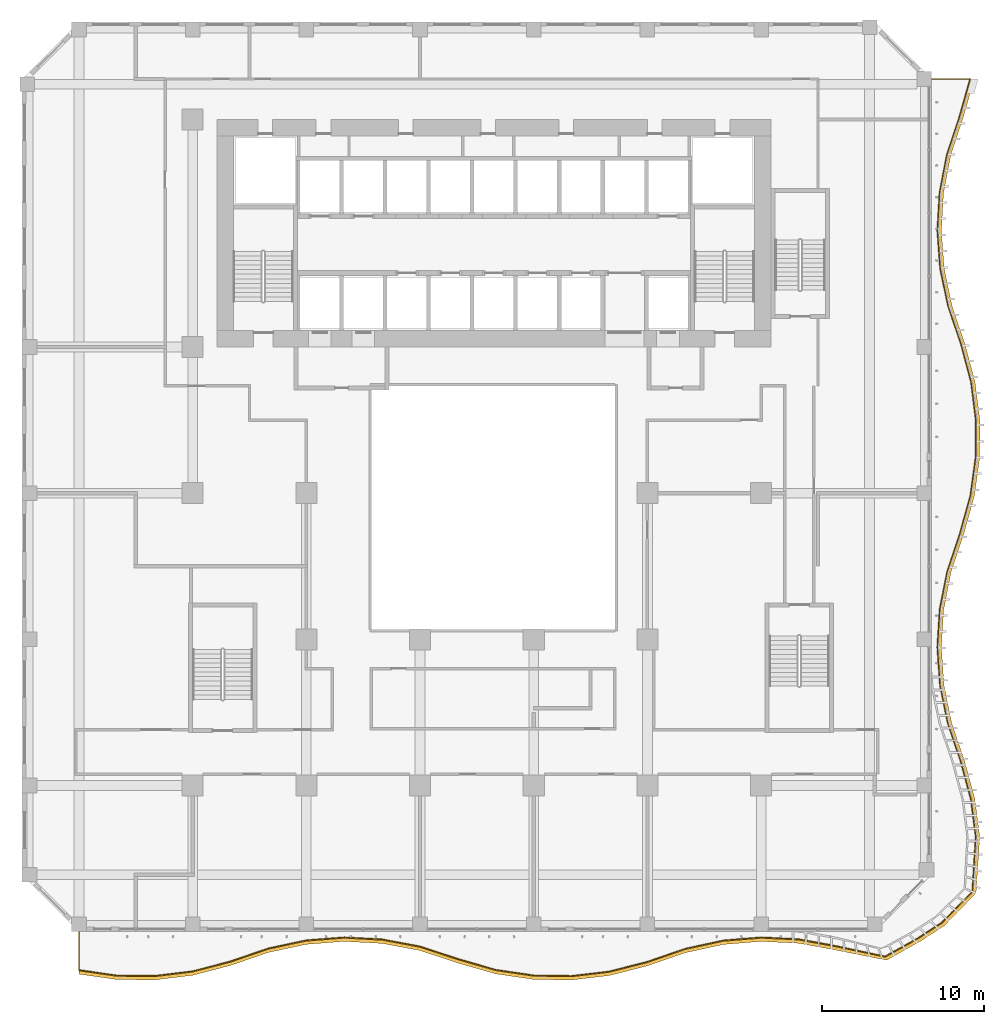
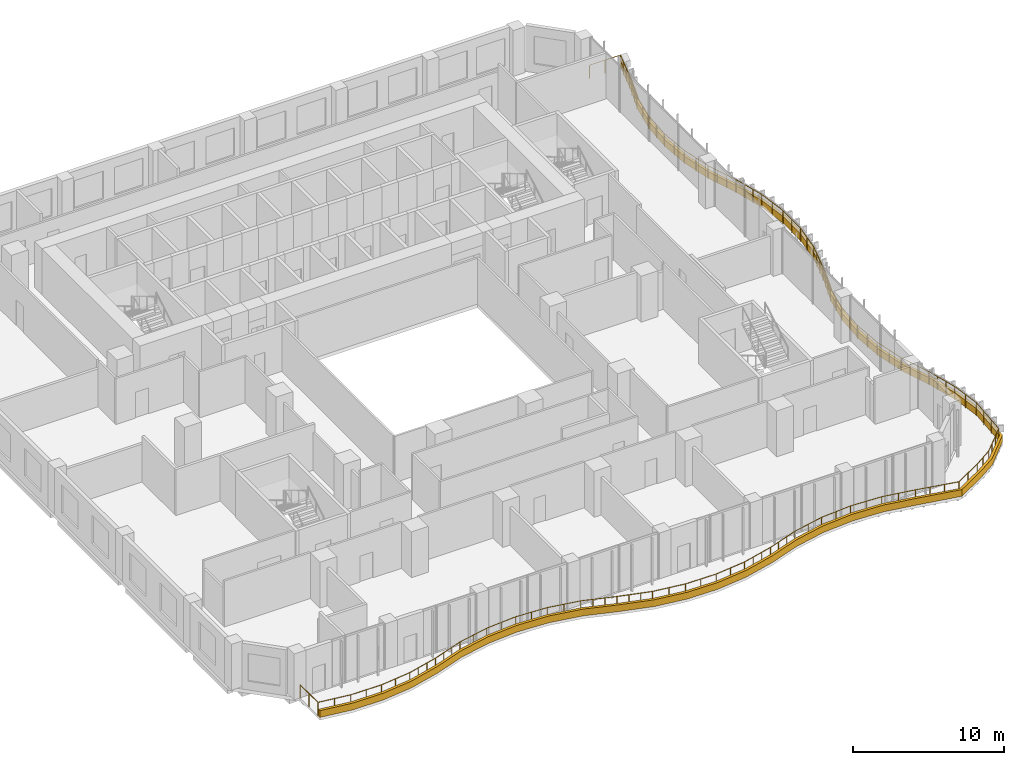
# One storey, part 21 of 27: 1 railing, 1 shading device.
"""IFC4 building model written with IfcOpenShell, lengths in metres."""

from ifc_helpers import new_model, si_unit, direction, frame, origin, origin_2d, place, context, subcontext, project, spatial, polyline, circle, outline, extrude, source, transform, mapped, material, layer, layer_set, type_object, element, save


model = new_model("IFC4")

# Units and contexts
model_context = context("Model", 3, precision=1e-05, world=origin(), true_north=direction((0.0, 1.0)))
body_context = subcontext(model_context, "Body", "Model", "MODEL_VIEW")
ifc_project = project(units=[si_unit("LENGTHUNIT", "METRE"), si_unit("AREAUNIT", "SQUARE_METRE"), si_unit("VOLUMEUNIT", "CUBIC_METRE"), si_unit("PLANEANGLEUNIT", "RADIAN"), si_unit("MASSUNIT", "GRAM", prefix="KILO")], contexts=[model_context])

# Site, building, storey
site_placement = place(None, origin())
site = spatial("IfcSite", under=ifc_project, at=site_placement, CompositionType="ELEMENT")
building_placement = place(site_placement, origin())
building = spatial("IfcBuilding", under=site, at=building_placement, Name="Kilnfold Tower and Market Hall", CompositionType="ELEMENT")
storey_placement = place(building_placement, frame((0.0, 0.0, 51.0)))
storey = spatial("IfcBuildingStorey", under=building, at=storey_placement, Name="L11", CompositionType="ELEMENT", Elevation=51.0)

# Railing
ifc_material_1 = material(Name="Stainless steel and laminated glass", Category="steel")
railing_type = type_object("IfcRailingType", Name="GUARD 1100", PredefinedType="GUARDRAIL", material=ifc_material_1)
railing_placement = place(storey_placement, frame((-24.5, -28.0, 0.0)))
element("IfcRailing", 1, at=railing_placement, inside=storey, type_object=railing_type, Name="Guard balcony L11", PredefinedType="GUARDRAIL", context=body_context, shape_type="SweptSolid", body=[
    extrude(circle(Radius=0.02490234375, at=origin_2d()), frame((0.0, 0.0, 1.0751953125), z_axis=(0.0, -1.0, 0.0), x_axis=(1.0, 0.0, 0.0)), (0.0, 0.0, 1.0), 2.3671875),
    extrude(circle(Radius=0.02490234375, at=origin_2d()), frame((0.0, -2.3671875, 1.0751953125), z_axis=(0.990011552174, -0.140986263734, 0.0), x_axis=(0.140986263734, 0.990011552174, 0.0)), (0.0, 0.0, 1.0), 2.356689453125),
    extrude(circle(Radius=0.02490234375, at=origin_2d()), frame((2.333251953125, -2.699462890625, 1.0751953125), z_axis=(0.99995164291, -0.009834217873, 0.0), x_axis=(0.009834217873, 0.99995164291, 0.0)), (0.0, 0.0, 1.0), 2.33349609375),
    extrude(circle(Radius=0.02490234375, at=origin_2d()), frame((4.666748046875, -2.722412109375, 1.0751953125), z_axis=(0.9926519646, 0.121004451058, 0.0), x_axis=(-0.121004451058, 0.9926519646, 0.0)), (0.0, 0.0, 1.0), 2.3505859375),
    extrude(circle(Radius=0.02490234375, at=origin_2d()), frame((7.0, -2.43798828125, 1.0751953125), z_axis=(0.967694646686, 0.25212510937, 0.0), x_axis=(-0.25212510937, 0.967694646686, 0.0)), (0.0, 0.0, 1.0), 2.4111328125),
    extrude(circle(Radius=0.02490234375, at=origin_2d()), frame((9.333251953125, -1.830078125, 1.0751953125), z_axis=(0.945916447437, 0.324410348891, 0.0), x_axis=(-0.324410348891, 0.945916447437, 0.0)), (0.0, 0.0, 1.0), 2.466796875),
    extrude(circle(Radius=0.02490234375, at=origin_2d()), frame((11.666748046875, -1.02978515625, 1.0751953125), z_axis=(0.978030963567, 0.20845967069, 0.0), x_axis=(-0.20845967069, 0.978030963567, 0.0)), (0.0, 0.0, 1.0), 2.3857421875),
    extrude(circle(Radius=0.02490234375, at=origin_2d()), frame((14.0, -0.532470703125, 1.0751953125), z_axis=(0.996999617386, 0.077406478613, 0.0), x_axis=(-0.077406478613, 0.996999617386, 0.0)), (0.0, 0.0, 1.0), 2.34033203125),
    extrude(circle(Radius=0.02490234375, at=origin_2d()), frame((16.333251953125, -0.351318359375, 1.0751953125), z_axis=(0.998562745725, -0.053595175618, 0.0), x_axis=(0.053595175618, 0.998562745725, 0.0)), (0.0, 0.0, 1.0), 2.3369140625),
    extrude(circle(Radius=0.02490234375, at=origin_2d()), frame((18.666748046875, -0.4765625, 1.0751953125), z_axis=(0.982815094306, -0.184592769099, 0.0), x_axis=(0.184592769099, 0.982815094306, 0.0)), (0.0, 0.0, 1.0), 2.3740234375),
    extrude(circle(Radius=0.02490234375, at=origin_2d()), frame((21.0, -0.914794921875, 1.0751953125), z_axis=(0.949918413858, -0.312498011214, 0.0), x_axis=(0.312498011214, 0.949918413858, 0.0)), (0.0, 0.0, 1.0), 2.456298828125),
    extrude(circle(Radius=0.02490234375, at=origin_2d()), frame((23.333251953125, -1.682373046875, 1.0751953125), z_axis=(0.961174049418, -0.27594283235, 0.0), x_axis=(0.27594283235, 0.961174049418, 0.0)), (0.0, 0.0, 1.0), 2.427734375),
    extrude(circle(Radius=0.02490234375, at=origin_2d()), frame((25.666748046875, -2.352294921875, 1.0751953125), z_axis=(0.989454912828, -0.144841207811, 0.0), x_axis=(0.144841207811, 0.989454912828, 0.0)), (0.0, 0.0, 1.0), 2.358154296875),
    extrude(circle(Radius=0.02490234375, at=origin_2d()), frame((28.0, -2.69384765625, 1.0751953125), z_axis=(0.999903179563, -0.013915153592, 0.0), x_axis=(0.013915153592, 0.999903179563, 0.0)), (0.0, 0.0, 1.0), 2.33349609375),
    extrude(circle(Radius=0.02490234375, at=origin_2d()), frame((30.333251953125, -2.726318359375, 1.0751953125), z_axis=(0.993120072898, 0.117100473128, 0.0), x_axis=(-0.117100473128, 0.993120072898, 0.0)), (0.0, 0.0, 1.0), 2.349609375),
    extrude(circle(Radius=0.02490234375, at=origin_2d()), frame((32.666748046875, -2.451171875, 1.0751953125), z_axis=(0.968725117024, 0.248136348904, 0.0), x_axis=(-0.248136348904, 0.968725117024, 0.0)), (0.0, 0.0, 1.0), 2.40869140625),
    extrude(circle(Radius=0.02490234375, at=origin_2d()), frame((35.0, -1.853515625, 1.0751953125), z_axis=(0.945480166669, 0.325679680723, 0.0), x_axis=(-0.325679680723, 0.945480166669, 0.0)), (0.0, 0.0, 1.0), 2.4677734375),
    extrude(circle(Radius=0.02490234375, at=origin_2d()), frame((37.333251953125, -1.0498046875, 1.0751953125), z_axis=(0.977193892437, 0.212348997132, 0.0), x_axis=(-0.212348997132, 0.977193892437, 0.0)), (0.0, 0.0, 1.0), 2.387939453125),
    extrude(circle(Radius=0.02490234375, at=origin_2d()), frame((39.666748046875, -0.542724609375, 1.0751953125), z_axis=(0.996685996413, 0.081345095449, 0.0), x_axis=(-0.081345095449, 0.996685996413, 0.0)), (0.0, 0.0, 1.0), 2.341064453125),
    extrude(circle(Radius=0.02490234375, at=origin_2d()), frame((42.0, -0.352294921875, 1.0751953125), z_axis=(0.998767149705, -0.049640514399, 0.0), x_axis=(0.049640514399, 0.998767149705, 0.0)), (0.0, 0.0, 1.0), 2.336181640625),
    extrude(circle(Radius=0.02490234375, at=origin_2d()), frame((44.333251953125, -0.46826171875, 1.0751953125), z_axis=(0.983557239518, -0.180596668273, 0.0), x_axis=(0.180596668273, 0.983557239518, 0.0)), (0.0, 0.0, 1.0), 2.37255859375),
    extrude(circle(Radius=0.02490234375, at=origin_2d()), frame((46.666748046875, -0.896728515625, 1.0751953125), z_axis=(0.977937632993, -0.208897070291, 0.0), x_axis=(0.208897070291, 0.977937632993, 0.0)), (0.0, 0.0, 1.0), 3.033935546875),
    extrude(circle(Radius=0.02490234375, at=origin_2d()), frame((49.6337890625, -1.530517578125, 1.0751953125), z_axis=(0.872179449428, 0.489186066845, 0.0), x_axis=(-0.489186066845, 0.872179449428, 0.0)), (0.0, 0.0, 1.0), 2.37255859375),
    extrude(circle(Radius=0.02490234375, at=origin_2d()), frame((51.703125, -0.369873046875, 1.0751953125), z_axis=(0.837774747833, 0.546015999668, 0.0), x_axis=(-0.546015999668, 0.837774747833, 0.0)), (0.0, 0.0, 1.0), 1.68603515625),
    extrude(circle(Radius=0.02490234375, at=origin_2d()), frame((53.11572265625, 0.55078125, 1.0751953125), z_axis=(0.702457611721, 0.711725581763, 0.0), x_axis=(-0.711725581763, 0.702457611721, 0.0)), (0.0, 0.0, 1.0), 2.68701171875),
    extrude(circle(Radius=0.02490234375, at=origin_2d()), frame((55.003173828125, 2.463134765625, 1.0751953125), z_axis=(0.062468310849, 0.998046947864, 0.0), x_axis=(-0.998046947864, 0.062468310849, 0.0)), (0.0, 0.0, 1.0), 3.376708984375),
    extrude(circle(Radius=0.02490234375, at=origin_2d()), frame((55.214111328125, 5.833251953125, 1.0751953125), z_axis=(-0.129064185476, 0.991636241788, 0.0), x_axis=(-0.991636241788, -0.129064185476, 0.0)), (0.0, 0.0, 1.0), 2.353271484375),
    extrude(circle(Radius=0.02490234375, at=origin_2d()), frame((54.910400390625, 8.166748046875, 1.0751953125), z_axis=(-0.260064055395, 0.965591366517, 0.0), x_axis=(-0.965591366517, -0.260064055395, 0.0)), (0.0, 0.0, 1.0), 2.41650390625),
    extrude(circle(Radius=0.02490234375, at=origin_2d()), frame((54.281982421875, 10.5, 1.0751953125), z_axis=(-0.321424863365, 0.94693508606, 0.0), x_axis=(-0.94693508606, -0.321424863365, 0.0)), (0.0, 0.0, 1.0), 2.464111328125),
    extrude(circle(Radius=0.02490234375, at=origin_2d()), frame((53.489990234375, 12.833251953125, 1.0751953125), z_axis=(-0.200391764063, 0.979715847017, 0.0), x_axis=(-0.979715847017, -0.200391764063, 0.0)), (0.0, 0.0, 1.0), 2.3818359375),
    extrude(circle(Radius=0.02490234375, at=origin_2d()), frame((53.0126953125, 15.166748046875, 1.0751953125), z_axis=(-0.069518543392, 0.997580659458, 0.0), x_axis=(-0.997580659458, -0.069518543392, 0.0)), (0.0, 0.0, 1.0), 2.3388671875),
    extrude(circle(Radius=0.02490234375, at=origin_2d()), frame((52.85009765625, 17.5, 1.0751953125), z_axis=(0.06151350653, 0.998106251115, 0.0), x_axis=(-0.998106251115, 0.06151350653, 0.0)), (0.0, 0.0, 1.0), 2.337646484375),
    extrude(circle(Radius=0.02490234375, at=origin_2d()), frame((52.993896484375, 19.833251953125, 1.0751953125), z_axis=(0.192600555184, 0.981277242242, 0.0), x_axis=(-0.981277242242, 0.192600555184, 0.0)), (0.0, 0.0, 1.0), 2.3779296875),
    extrude(circle(Radius=0.02490234375, at=origin_2d()), frame((53.451904296875, 22.166748046875, 1.0751953125), z_axis=(0.317418207313, 0.948285654044, 0.0), x_axis=(-0.948285654044, 0.317418207313, 0.0)), (0.0, 0.0, 1.0), 2.46044921875),
    extrude(circle(Radius=0.02490234375, at=origin_2d()), frame((54.23291015625, 24.5, 1.0751953125), z_axis=(0.268044177789, 0.963406621709, 0.0), x_axis=(-0.963406621709, 0.268044177789, 0.0)), (0.0, 0.0, 1.0), 2.421875),
    extrude(circle(Radius=0.02490234375, at=origin_2d()), frame((54.882080078125, 26.833251953125, 1.0751953125), z_axis=(0.136907434558, 0.990583845196, 0.0), x_axis=(-0.990583845196, 0.136907434558, 0.0)), (0.0, 0.0, 1.0), 2.355712890625),
    extrude(circle(Radius=0.02490234375, at=origin_2d()), frame((55.20458984375, 29.166748046875, 1.0751953125), z_axis=(0.005964108635, 0.999982214546, 0.0), x_axis=(-0.999982214546, 0.005964108635, 0.0)), (0.0, 0.0, 1.0), 2.333251953125),
    extrude(circle(Radius=0.02490234375, at=origin_2d()), frame((55.218505859375, 31.5, 1.0751953125), z_axis=(-0.125095157651, 0.992144748276, 0.0), x_axis=(-0.992144748276, -0.125095157651, 0.0)), (0.0, 0.0, 1.0), 2.351806640625),
    extrude(circle(Radius=0.02490234375, at=origin_2d()), frame((54.92431640625, 33.833251953125, 1.0751953125), z_axis=(-0.25607602288, 0.966656645612, 0.0), x_axis=(-0.966656645612, -0.25607602288, 0.0)), (0.0, 0.0, 1.0), 2.4140625),
    extrude(circle(Radius=0.02490234375, at=origin_2d()), frame((54.30615234375, 36.166748046875, 1.0751953125), z_axis=(-0.323022719248, 0.946391210256, 0.0), x_axis=(-0.946391210256, -0.323022719248, 0.0)), (0.0, 0.0, 1.0), 2.46533203125),
    extrude(circle(Radius=0.02490234375, at=origin_2d()), frame((53.509765625, 38.5, 1.0751953125), z_axis=(-0.204440962261, 0.978878895957, 0.0), x_axis=(-0.978878895957, -0.204440962261, 0.0)), (0.0, 0.0, 1.0), 2.383544921875),
    extrude(circle(Radius=0.02490234375, at=origin_2d()), frame((53.0224609375, 40.833251953125, 1.0751953125), z_axis=(-0.073456589712, 0.997298415434, 0.0), x_axis=(-0.997298415434, -0.073456589712, 0.0)), (0.0, 0.0, 1.0), 2.33984375),
    extrude(circle(Radius=0.02490234375, at=origin_2d()), frame((52.8505859375, 43.166748046875, 1.0751953125), z_axis=(0.057558492913, 0.99834213569, 0.0), x_axis=(-0.99834213569, 0.057558492913, 0.0)), (0.0, 0.0, 1.0), 2.337158203125),
    extrude(circle(Radius=0.02490234375, at=origin_2d()), frame((52.985107421875, 45.5, 1.0751953125), z_axis=(0.18856153865, 0.982061375955, 0.0), x_axis=(-0.982061375955, 0.18856153865, 0.0)), (0.0, 0.0, 1.0), 2.3759765625),
    extrude(circle(Radius=0.02490234375, at=origin_2d()), frame((53.43310546875, 47.833251953125, 1.0751953125), z_axis=(0.315065767325, 0.94906984056, 0.0), x_axis=(-0.94906984056, 0.315065767325, 0.0)), (0.0, 0.0, 1.0), 2.458740234375),
    extrude(circle(Radius=0.02490234375, at=origin_2d()), frame((54.207763671875, 50.166748046875, 1.0751953125), z_axis=(0.271967140438, 0.962306538751, 0.0), x_axis=(-0.962306538751, 0.271967140438, 0.0)), (0.0, 0.0, 1.0), 2.424560546875),
    extrude(circle(Radius=0.02490234375, at=origin_2d()), frame((54.8671875, 52.5, 1.0751953125), z_axis=(-1.0, 0.0, 0.0), x_axis=(0.0, -1.0, 0.0)), (0.0, 0.0, 1.0), 2.3671875),
    extrude(circle(Radius=0.02490234375, at=origin_2d()), origin(), (0.0, 0.0, 1.0), 1.050048828125),
    extrude(circle(Radius=0.02490234375, at=origin_2d()), frame((0.0, -1.18359375, 0.0)), (0.0, 0.0, 1.0), 1.050048828125),
    extrude(circle(Radius=0.02490234375, at=origin_2d()), frame((0.0, -2.3671875, 0.0)), (0.0, 0.0, 1.0), 1.050048828125),
    extrude(circle(Radius=0.02490234375, at=origin_2d()), frame((1.16650390625, -2.533203125, 0.0)), (0.0, 0.0, 1.0), 1.050048828125),
    extrude(circle(Radius=0.02490234375, at=origin_2d()), frame((2.333251953125, -2.699462890625, 0.0)), (0.0, 0.0, 1.0), 1.050048828125),
    extrude(circle(Radius=0.02490234375, at=origin_2d()), frame((3.5, -2.7109375, 0.0)), (0.0, 0.0, 1.0), 1.050048828125),
    extrude(circle(Radius=0.02490234375, at=origin_2d()), frame((4.666748046875, -2.722412109375, 0.0)), (0.0, 0.0, 1.0), 1.050048828125),
    extrude(circle(Radius=0.02490234375, at=origin_2d()), frame((5.83349609375, -2.580078125, 0.0)), (0.0, 0.0, 1.0), 1.050048828125),
    extrude(circle(Radius=0.02490234375, at=origin_2d()), frame((7.0, -2.43798828125, 0.0)), (0.0, 0.0, 1.0), 1.050048828125),
    extrude(circle(Radius=0.02490234375, at=origin_2d()), frame((7.77783203125, -2.2353515625, 0.0)), (0.0, 0.0, 1.0), 1.050048828125),
    extrude(circle(Radius=0.02490234375, at=origin_2d()), frame((8.555419921875, -2.03271484375, 0.0)), (0.0, 0.0, 1.0), 1.050048828125),
    extrude(circle(Radius=0.02490234375, at=origin_2d()), frame((9.333251953125, -1.830078125, 0.0)), (0.0, 0.0, 1.0), 1.050048828125),
    extrude(circle(Radius=0.02490234375, at=origin_2d()), frame((10.111083984375, -1.563232421875, 0.0)), (0.0, 0.0, 1.0), 1.050048828125),
    extrude(circle(Radius=0.02490234375, at=origin_2d()), frame((10.888916015625, -1.296630859375, 0.0)), (0.0, 0.0, 1.0), 1.050048828125),
    extrude(circle(Radius=0.02490234375, at=origin_2d()), frame((11.666748046875, -1.02978515625, 0.0)), (0.0, 0.0, 1.0), 1.050048828125),
    extrude(circle(Radius=0.02490234375, at=origin_2d()), frame((12.83349609375, -0.78125, 0.0)), (0.0, 0.0, 1.0), 1.050048828125),
    extrude(circle(Radius=0.02490234375, at=origin_2d()), frame((14.0, -0.532470703125, 0.0)), (0.0, 0.0, 1.0), 1.050048828125),
    extrude(circle(Radius=0.02490234375, at=origin_2d()), frame((15.16650390625, -0.44189453125, 0.0)), (0.0, 0.0, 1.0), 1.050048828125),
    extrude(circle(Radius=0.02490234375, at=origin_2d()), frame((16.333251953125, -0.351318359375, 0.0)), (0.0, 0.0, 1.0), 1.050048828125),
    extrude(circle(Radius=0.02490234375, at=origin_2d()), frame((17.5, -0.4140625, 0.0)), (0.0, 0.0, 1.0), 1.050048828125),
    extrude(circle(Radius=0.02490234375, at=origin_2d()), frame((18.666748046875, -0.4765625, 0.0)), (0.0, 0.0, 1.0), 1.050048828125),
    extrude(circle(Radius=0.02490234375, at=origin_2d()), frame((19.83349609375, -0.69580078125, 0.0)), (0.0, 0.0, 1.0), 1.050048828125),
    extrude(circle(Radius=0.02490234375, at=origin_2d()), frame((21.0, -0.914794921875, 0.0)), (0.0, 0.0, 1.0), 1.050048828125),
    extrude(circle(Radius=0.02490234375, at=origin_2d()), frame((21.77783203125, -1.170654296875, 0.0)), (0.0, 0.0, 1.0), 1.050048828125),
    extrude(circle(Radius=0.02490234375, at=origin_2d()), frame((22.555419921875, -1.426513671875, 0.0)), (0.0, 0.0, 1.0), 1.050048828125),
    extrude(circle(Radius=0.02490234375, at=origin_2d()), frame((23.333251953125, -1.682373046875, 0.0)), (0.0, 0.0, 1.0), 1.050048828125),
    extrude(circle(Radius=0.02490234375, at=origin_2d()), frame((24.111083984375, -1.90576171875, 0.0)), (0.0, 0.0, 1.0), 1.050048828125),
    extrude(circle(Radius=0.02490234375, at=origin_2d()), frame((24.888916015625, -2.12890625, 0.0)), (0.0, 0.0, 1.0), 1.050048828125),
    extrude(circle(Radius=0.02490234375, at=origin_2d()), frame((25.666748046875, -2.352294921875, 0.0)), (0.0, 0.0, 1.0), 1.050048828125),
    extrude(circle(Radius=0.02490234375, at=origin_2d()), frame((26.83349609375, -2.52294921875, 0.0)), (0.0, 0.0, 1.0), 1.050048828125),
    extrude(circle(Radius=0.02490234375, at=origin_2d()), frame((28.0, -2.69384765625, 0.0)), (0.0, 0.0, 1.0), 1.050048828125),
    extrude(circle(Radius=0.02490234375, at=origin_2d()), frame((29.16650390625, -2.7099609375, 0.0)), (0.0, 0.0, 1.0), 1.050048828125),
    extrude(circle(Radius=0.02490234375, at=origin_2d()), frame((30.333251953125, -2.726318359375, 0.0)), (0.0, 0.0, 1.0), 1.050048828125),
    extrude(circle(Radius=0.02490234375, at=origin_2d()), frame((31.5, -2.5888671875, 0.0)), (0.0, 0.0, 1.0), 1.050048828125),
    extrude(circle(Radius=0.02490234375, at=origin_2d()), frame((32.666748046875, -2.451171875, 0.0)), (0.0, 0.0, 1.0), 1.050048828125),
    extrude(circle(Radius=0.02490234375, at=origin_2d()), frame((33.444580078125, -2.251953125, 0.0)), (0.0, 0.0, 1.0), 1.050048828125),
    extrude(circle(Radius=0.02490234375, at=origin_2d()), frame((34.22216796875, -2.052734375, 0.0)), (0.0, 0.0, 1.0), 1.050048828125),
    extrude(circle(Radius=0.02490234375, at=origin_2d()), frame((35.0, -1.853515625, 0.0)), (0.0, 0.0, 1.0), 1.050048828125),
    extrude(circle(Radius=0.02490234375, at=origin_2d()), frame((35.77783203125, -1.585693359375, 0.0)), (0.0, 0.0, 1.0), 1.050048828125),
    extrude(circle(Radius=0.02490234375, at=origin_2d()), frame((36.555419921875, -1.317626953125, 0.0)), (0.0, 0.0, 1.0), 1.050048828125),
    extrude(circle(Radius=0.02490234375, at=origin_2d()), frame((37.333251953125, -1.0498046875, 0.0)), (0.0, 0.0, 1.0), 1.050048828125),
    extrude(circle(Radius=0.02490234375, at=origin_2d()), frame((38.5, -0.79638671875, 0.0)), (0.0, 0.0, 1.0), 1.050048828125),
    extrude(circle(Radius=0.02490234375, at=origin_2d()), frame((39.666748046875, -0.542724609375, 0.0)), (0.0, 0.0, 1.0), 1.050048828125),
    extrude(circle(Radius=0.02490234375, at=origin_2d()), frame((40.83349609375, -0.447509765625, 0.0)), (0.0, 0.0, 1.0), 1.050048828125),
    extrude(circle(Radius=0.02490234375, at=origin_2d()), frame((42.0, -0.352294921875, 0.0)), (0.0, 0.0, 1.0), 1.050048828125),
    extrude(circle(Radius=0.02490234375, at=origin_2d()), frame((43.16650390625, -0.41015625, 0.0)), (0.0, 0.0, 1.0), 1.050048828125),
    extrude(circle(Radius=0.02490234375, at=origin_2d()), frame((44.333251953125, -0.46826171875, 0.0)), (0.0, 0.0, 1.0), 1.050048828125),
    extrude(circle(Radius=0.02490234375, at=origin_2d()), frame((45.5, -0.6826171875, 0.0)), (0.0, 0.0, 1.0), 1.050048828125),
    extrude(circle(Radius=0.02490234375, at=origin_2d()), frame((46.666748046875, -0.896728515625, 0.0)), (0.0, 0.0, 1.0), 1.050048828125),
    extrude(circle(Radius=0.02490234375, at=origin_2d()), frame((47.65576171875, -1.10791015625, 0.0)), (0.0, 0.0, 1.0), 1.050048828125),
    extrude(circle(Radius=0.02490234375, at=origin_2d()), frame((48.644775390625, -1.3193359375, 0.0)), (0.0, 0.0, 1.0), 1.050048828125),
    extrude(circle(Radius=0.02490234375, at=origin_2d()), frame((49.6337890625, -1.530517578125, 0.0)), (0.0, 0.0, 1.0), 1.050048828125),
    extrude(circle(Radius=0.02490234375, at=origin_2d()), frame((50.66845703125, -0.9501953125, 0.0)), (0.0, 0.0, 1.0), 1.050048828125),
    extrude(circle(Radius=0.02490234375, at=origin_2d()), frame((51.703125, -0.369873046875, 0.0)), (0.0, 0.0, 1.0), 1.050048828125),
    extrude(circle(Radius=0.02490234375, at=origin_2d()), frame((52.409423828125, 0.09033203125, 0.0)), (0.0, 0.0, 1.0), 1.050048828125),
    extrude(circle(Radius=0.02490234375, at=origin_2d()), frame((53.11572265625, 0.55078125, 0.0)), (0.0, 0.0, 1.0), 1.050048828125),
    extrude(circle(Radius=0.02490234375, at=origin_2d()), frame((53.744873046875, 1.188232421875, 0.0)), (0.0, 0.0, 1.0), 1.050048828125),
    extrude(circle(Radius=0.02490234375, at=origin_2d()), frame((54.3740234375, 1.82568359375, 0.0)), (0.0, 0.0, 1.0), 1.050048828125),
    extrude(circle(Radius=0.02490234375, at=origin_2d()), frame((55.003173828125, 2.463134765625, 0.0)), (0.0, 0.0, 1.0), 1.050048828125),
    extrude(circle(Radius=0.02490234375, at=origin_2d()), frame((55.073486328125, 3.58642578125, 0.0)), (0.0, 0.0, 1.0), 1.050048828125),
    extrude(circle(Radius=0.02490234375, at=origin_2d()), frame((55.143798828125, 4.7099609375, 0.0)), (0.0, 0.0, 1.0), 1.050048828125),
    extrude(circle(Radius=0.02490234375, at=origin_2d()), frame((55.214111328125, 5.833251953125, 0.0)), (0.0, 0.0, 1.0), 1.050048828125),
    extrude(circle(Radius=0.02490234375, at=origin_2d()), frame((55.062255859375, 7.0, 0.0)), (0.0, 0.0, 1.0), 1.050048828125),
    extrude(circle(Radius=0.02490234375, at=origin_2d()), frame((54.910400390625, 8.166748046875, 0.0)), (0.0, 0.0, 1.0), 1.050048828125),
    extrude(circle(Radius=0.02490234375, at=origin_2d()), frame((54.700927734375, 8.944580078125, 0.0)), (0.0, 0.0, 1.0), 1.050048828125),
    extrude(circle(Radius=0.02490234375, at=origin_2d()), frame((54.491455078125, 9.72216796875, 0.0)), (0.0, 0.0, 1.0), 1.050048828125),
    extrude(circle(Radius=0.02490234375, at=origin_2d()), frame((54.281982421875, 10.5, 0.0)), (0.0, 0.0, 1.0), 1.050048828125),
    extrude(circle(Radius=0.02490234375, at=origin_2d()), frame((54.01806640625, 11.27783203125, 0.0)), (0.0, 0.0, 1.0), 1.050048828125),
    extrude(circle(Radius=0.02490234375, at=origin_2d()), frame((53.75390625, 12.055419921875, 0.0)), (0.0, 0.0, 1.0), 1.050048828125),
    extrude(circle(Radius=0.02490234375, at=origin_2d()), frame((53.489990234375, 12.833251953125, 0.0)), (0.0, 0.0, 1.0), 1.050048828125),
    extrude(circle(Radius=0.02490234375, at=origin_2d()), frame((53.25146484375, 14.0, 0.0)), (0.0, 0.0, 1.0), 1.050048828125),
    extrude(circle(Radius=0.02490234375, at=origin_2d()), frame((53.0126953125, 15.166748046875, 0.0)), (0.0, 0.0, 1.0), 1.050048828125),
    extrude(circle(Radius=0.02490234375, at=origin_2d()), frame((52.931396484375, 16.33349609375, 0.0)), (0.0, 0.0, 1.0), 1.050048828125),
    extrude(circle(Radius=0.02490234375, at=origin_2d()), frame((52.85009765625, 17.5, 0.0)), (0.0, 0.0, 1.0), 1.050048828125),
    extrude(circle(Radius=0.02490234375, at=origin_2d()), frame((52.921875, 18.66650390625, 0.0)), (0.0, 0.0, 1.0), 1.050048828125),
    extrude(circle(Radius=0.02490234375, at=origin_2d()), frame((52.993896484375, 19.833251953125, 0.0)), (0.0, 0.0, 1.0), 1.050048828125),
    extrude(circle(Radius=0.02490234375, at=origin_2d()), frame((53.222900390625, 21.0, 0.0)), (0.0, 0.0, 1.0), 1.050048828125),
    extrude(circle(Radius=0.02490234375, at=origin_2d()), frame((53.451904296875, 22.166748046875, 0.0)), (0.0, 0.0, 1.0), 1.050048828125),
    extrude(circle(Radius=0.02490234375, at=origin_2d()), frame((53.712158203125, 22.944580078125, 0.0)), (0.0, 0.0, 1.0), 1.050048828125),
    extrude(circle(Radius=0.02490234375, at=origin_2d()), frame((53.97265625, 23.72216796875, 0.0)), (0.0, 0.0, 1.0), 1.050048828125),
    extrude(circle(Radius=0.02490234375, at=origin_2d()), frame((54.23291015625, 24.5, 0.0)), (0.0, 0.0, 1.0), 1.050048828125),
    extrude(circle(Radius=0.02490234375, at=origin_2d()), frame((54.44921875, 25.27783203125, 0.0)), (0.0, 0.0, 1.0), 1.050048828125),
    extrude(circle(Radius=0.02490234375, at=origin_2d()), frame((54.665771484375, 26.055419921875, 0.0)), (0.0, 0.0, 1.0), 1.050048828125),
    extrude(circle(Radius=0.02490234375, at=origin_2d()), frame((54.882080078125, 26.833251953125, 0.0)), (0.0, 0.0, 1.0), 1.050048828125),
    extrude(circle(Radius=0.02490234375, at=origin_2d()), frame((55.04345703125, 28.0, 0.0)), (0.0, 0.0, 1.0), 1.050048828125),
    extrude(circle(Radius=0.02490234375, at=origin_2d()), frame((55.20458984375, 29.166748046875, 0.0)), (0.0, 0.0, 1.0), 1.050048828125),
    extrude(circle(Radius=0.02490234375, at=origin_2d()), frame((55.21142578125, 30.33349609375, 0.0)), (0.0, 0.0, 1.0), 1.050048828125),
    extrude(circle(Radius=0.02490234375, at=origin_2d()), frame((55.218505859375, 31.5, 0.0)), (0.0, 0.0, 1.0), 1.050048828125),
    extrude(circle(Radius=0.02490234375, at=origin_2d()), frame((55.0712890625, 32.66650390625, 0.0)), (0.0, 0.0, 1.0), 1.050048828125),
    extrude(circle(Radius=0.02490234375, at=origin_2d()), frame((54.92431640625, 33.833251953125, 0.0)), (0.0, 0.0, 1.0), 1.050048828125),
    extrude(circle(Radius=0.02490234375, at=origin_2d()), frame((54.71826171875, 34.611083984375, 0.0)), (0.0, 0.0, 1.0), 1.050048828125),
    extrude(circle(Radius=0.02490234375, at=origin_2d()), frame((54.51220703125, 35.388916015625, 0.0)), (0.0, 0.0, 1.0), 1.050048828125),
    extrude(circle(Radius=0.02490234375, at=origin_2d()), frame((54.30615234375, 36.166748046875, 0.0)), (0.0, 0.0, 1.0), 1.050048828125),
    extrude(circle(Radius=0.02490234375, at=origin_2d()), frame((54.040771484375, 36.944580078125, 0.0)), (0.0, 0.0, 1.0), 1.050048828125),
    extrude(circle(Radius=0.02490234375, at=origin_2d()), frame((53.775146484375, 37.72216796875, 0.0)), (0.0, 0.0, 1.0), 1.050048828125),
    extrude(circle(Radius=0.02490234375, at=origin_2d()), frame((53.509765625, 38.5, 0.0)), (0.0, 0.0, 1.0), 1.050048828125),
    extrude(circle(Radius=0.02490234375, at=origin_2d()), frame((53.26611328125, 39.66650390625, 0.0)), (0.0, 0.0, 1.0), 1.050048828125),
    extrude(circle(Radius=0.02490234375, at=origin_2d()), frame((53.0224609375, 40.833251953125, 0.0)), (0.0, 0.0, 1.0), 1.050048828125),
    extrude(circle(Radius=0.02490234375, at=origin_2d()), frame((52.9365234375, 42.0, 0.0)), (0.0, 0.0, 1.0), 1.050048828125),
    extrude(circle(Radius=0.02490234375, at=origin_2d()), frame((52.8505859375, 43.166748046875, 0.0)), (0.0, 0.0, 1.0), 1.050048828125),
    extrude(circle(Radius=0.02490234375, at=origin_2d()), frame((52.91796875, 44.33349609375, 0.0)), (0.0, 0.0, 1.0), 1.050048828125),
    extrude(circle(Radius=0.02490234375, at=origin_2d()), frame((52.985107421875, 45.5, 0.0)), (0.0, 0.0, 1.0), 1.050048828125),
    extrude(circle(Radius=0.02490234375, at=origin_2d()), frame((53.208984375, 46.66650390625, 0.0)), (0.0, 0.0, 1.0), 1.050048828125),
    extrude(circle(Radius=0.02490234375, at=origin_2d()), frame((53.43310546875, 47.833251953125, 0.0)), (0.0, 0.0, 1.0), 1.050048828125),
    extrude(circle(Radius=0.02490234375, at=origin_2d()), frame((53.69140625, 48.611083984375, 0.0)), (0.0, 0.0, 1.0), 1.050048828125),
    extrude(circle(Radius=0.02490234375, at=origin_2d()), frame((53.949462890625, 49.388916015625, 0.0)), (0.0, 0.0, 1.0), 1.050048828125),
    extrude(circle(Radius=0.02490234375, at=origin_2d()), frame((54.207763671875, 50.166748046875, 0.0)), (0.0, 0.0, 1.0), 1.050048828125),
    extrude(circle(Radius=0.02490234375, at=origin_2d()), frame((54.427490234375, 50.944580078125, 0.0)), (0.0, 0.0, 1.0), 1.050048828125),
    extrude(circle(Radius=0.02490234375, at=origin_2d()), frame((54.6474609375, 51.72216796875, 0.0)), (0.0, 0.0, 1.0), 1.050048828125),
    extrude(circle(Radius=0.02490234375, at=origin_2d()), frame((54.8671875, 52.5, 0.0)), (0.0, 0.0, 1.0), 1.050048828125),
    extrude(circle(Radius=0.02490234375, at=origin_2d()), frame((53.68359375, 52.5, 0.0)), (0.0, 0.0, 1.0), 1.050048828125),
    extrude(circle(Radius=0.02490234375, at=origin_2d()), frame((52.5, 52.5, 0.0)), (0.0, 0.0, 1.0), 1.050048828125),
])

# Shading device
ifc_material_2 = material(Name="Precast concrete C50/60", Category="concrete")
ifc_layer = layer(ifc_material_2, 0.550048828125)
ifc_layer_set = layer_set([ifc_layer], Name="Precast concrete C50/60")
shading_device_type = type_object("IfcShadingDeviceType", Name="BALCONY UPSTAND 550", PredefinedType="USERDEFINED", material=ifc_layer_set)
shared_shape = source(origin(), body_context, "Body", "SweptSolid", [
    extrude(outline(polyline([(-24.5, -30.6171875), (-22.166748046875, -30.949462890625), (-19.833251953125, -30.972412109375), (-17.5, -30.68798828125), (-15.166748046875, -30.080078125), (-12.833251953125, -29.27978515625), (-10.5, -28.782470703125), (-8.166748046875, -28.601318359375), (-5.833251953125, -28.7265625), (-3.5, -29.164794921875), (-1.166748046875, -29.932373046875), (1.166748046875, -30.602294921875), (3.5, -30.94384765625), (5.833251953125, -30.976318359375), (8.166748046875, -30.701171875), (10.5, -30.103515625), (12.833251953125, -29.2998046875), (15.166748046875, -28.792724609375), (17.5, -28.602294921875), (19.833251953125, -28.71826171875), (22.166748046875, -29.146728515625), (25.2294921875, -29.761474609375), (27.3798828125, -28.546630859375), (28.79248046875, -27.6259765625), (30.734130859375, -25.632568359375), (30.964111328125, -22.166748046875), (30.660400390625, -19.833251953125), (30.031982421875, -17.5), (29.239990234375, -15.166748046875), (28.7626953125, -12.833251953125), (28.60009765625, -10.5), (28.743896484375, -8.166748046875), (29.201904296875, -5.833251953125), (29.98291015625, -3.5), (30.632080078125, -1.166748046875), (30.95458984375, 1.166748046875), (30.968505859375, 3.5), (30.67431640625, 5.833251953125), (30.05615234375, 8.166748046875), (29.259765625, 10.5), (28.7724609375, 12.833251953125), (28.6005859375, 15.166748046875), (28.735107421875, 17.5), (29.18310546875, 19.833251953125), (29.957763671875, 22.166748046875), (30.6171875, 24.5), (30.417236328125, 24.5), (29.7578125, 22.166748046875), (28.983154296875, 19.833251953125), (28.53515625, 17.5), (28.400634765625, 15.166748046875), (28.572509765625, 12.833251953125), (29.059814453125, 10.5), (29.856201171875, 8.166748046875), (30.474365234375, 5.833251953125), (30.7685546875, 3.5), (30.754638671875, 1.166748046875), (30.431884765625, -1.166748046875), (29.782958984375, -3.5), (29.001708984375, -5.833251953125), (28.5439453125, -8.166748046875), (28.400146484375, -10.5), (28.5625, -12.833251953125), (29.0400390625, -15.166748046875), (29.83203125, -17.5), (30.46044921875, -19.833251953125), (30.76416015625, -22.166748046875), (30.54931640625, -25.555908203125), (28.651123046875, -27.484619140625), (27.238525390625, -28.4052734375), (25.153076171875, -29.57666015625), (22.166748046875, -28.94677734375), (19.833251953125, -28.518310546875), (17.5, -28.402099609375), (15.166748046875, -28.5927734375), (12.833251953125, -29.099853515625), (10.5, -29.903564453125), (8.166748046875, -30.501220703125), (5.833251953125, -30.7763671875), (3.5, -30.743896484375), (1.166748046875, -30.402099609375), (-1.166748046875, -29.732421875), (-3.5, -28.964599609375), (-5.833251953125, -28.526611328125), (-8.166748046875, -28.4013671875), (-10.5, -28.58251953125), (-12.833251953125, -29.07958984375), (-15.166748046875, -29.880126953125), (-17.5, -30.48779296875), (-19.833251953125, -30.7724609375), (-22.166748046875, -30.74951171875), (-24.5, -30.417236328125), (-24.5, -30.6171875)])), origin(), (0.0, 0.0, 1.0), 0.550048828125),
])
shading_device_placement = place(storey_placement, origin())
element("IfcShadingDevice", 2, at=shading_device_placement, inside=storey, type_object=shading_device_type, Name="Balcony fascia L11", ObjectType="FASCIA", PredefinedType="USERDEFINED", context=body_context, shape_type="MappedRepresentation", body=[
    mapped(shared_shape, transform((0.0, 0.0, 0.0))),
])

save(model, "model.ifc")
